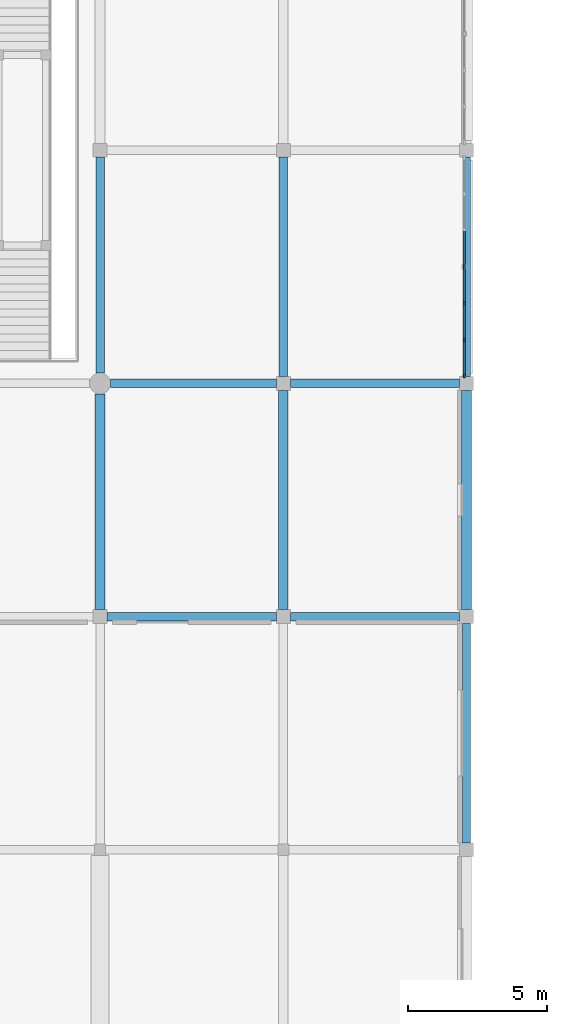
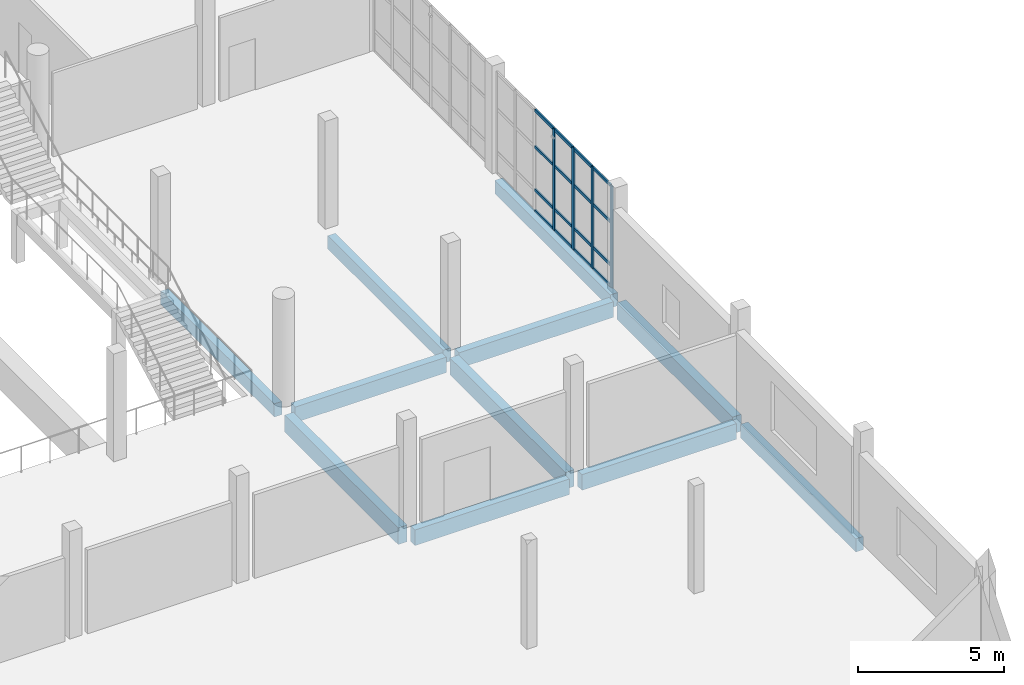
# One storey, part 4 of 76: 20 members, 11 beams, 1 element without a shape of its own.
"""IFC4 building model written with IfcOpenShell, lengths in metres."""

from ifc_helpers import new_model, si_unit, direction, frame, origin, origin_2d, place, context, subcontext, project, spatial, rectangle, extrude, material, material_profile, profile_set, type_object, element, aggregate, save


model = new_model("IFC4")

# Units and contexts
model_context = context("Model", 3, precision=1e-05, world=origin(), true_north=direction((0.0, 1.0)))
body_context = subcontext(model_context, "Body", "Model", "MODEL_VIEW")
ifc_project = project(units=[si_unit("LENGTHUNIT", "METRE"), si_unit("AREAUNIT", "SQUARE_METRE"), si_unit("VOLUMEUNIT", "CUBIC_METRE"), si_unit("PLANEANGLEUNIT", "RADIAN"), si_unit("MASSUNIT", "GRAM", prefix="KILO")], contexts=[model_context])

# Site, building, storey
site_placement = place(None, origin())
site = spatial("IfcSite", under=ifc_project, at=site_placement, CompositionType="ELEMENT")
building_placement = place(site_placement, origin())
building = spatial("IfcBuilding", under=site, at=building_placement, Name="Qaldarim Faculty of Natural and Applied Sciences", CompositionType="ELEMENT")
storey_placement = place(building_placement, frame((0.0, 0.0, 9.89990234375)))
storey = spatial("IfcBuildingStorey", under=building, at=storey_placement, Name="L02", CompositionType="ELEMENT", Elevation=9.89990234375)

# Beams
ifc_material_1 = material(Name="Concrete C40/50", Category="concrete")
ifc_material_profile_1 = material_profile(ifc_material_1, rectangle(XDim=0.300048828125, YDim=0.550048828125, at=origin_2d()), Name="RC-B300x550")
ifc_profile_set_1 = profile_set([ifc_material_profile_1], Name="Concrete C40/50")
beam_type_1 = type_object("IfcBeamType", Name="FloorBeam-RC300x550", PredefinedType="BEAM", material=ifc_profile_set_1)
beam_1_placement = place(storey_placement, frame((33.0, 59.175048828125, -0.574951171875), z_axis=(0.0, 1.0, 0.0), x_axis=(-1.0, 0.0, 0.0)))
element("IfcBeam", 1, at=beam_1_placement, inside=storey, type_object=beam_type_1, Name="Beam RC-B300x550 L01 X06/Y08-Y09", PredefinedType="BEAM", context=body_context, shape_type="SweptSolid", body=[
    extrude(rectangle(XDim=0.300048828125, YDim=0.550048828125, at=origin_2d()), origin(), (0.0, 0.0, 1.0), 7.77490234375),
])
for number, where, z_axis, x_axis, name in (
    (2, (39.60009765625, 59.050048828125, -0.574951171875), (0.0, 1.0, 0.0), (-1.0, 0.0, 0.0), "Beam RC-B300x550 L01 X07/Y08-Y09"),
    (3, (46.199951171875, 42.25, -0.574951171875), (0.0, 1.0, 0.0), (-1.0, 0.0, 0.0), "Beam RC-B300x550 L01 X08/Y06-Y07"),
    (4, (46.199951171875, 59.050048828125, -0.574951171875), (0.0, 1.0, 0.0), (-1.0, 0.0, 0.0), "Beam RC-B300x550 L01 X08/Y08-Y09"),
):
    element("IfcBeam", number, at=place(storey_placement, frame(where, z_axis=z_axis, x_axis=x_axis)), inside=storey, type_object=beam_type_1, Name=name, PredefinedType="BEAM", context=body_context, shape_type="SweptSolid", body=[
        extrude(rectangle(XDim=0.300048828125, YDim=0.550048828125, at=origin_2d()), origin(), (0.0, 0.0, 1.0), 7.89990234375),
    ])

# Curtain wall, members
ifc_material_2 = material(Name="Anodised aluminium AW-6063", Category="aluminium")
curtain_wall_type = type_object("IfcCurtainWallType", Name="CurtainWallSystem-M1300", PredefinedType="USERDEFINED", material=ifc_material_2)
curtain_wall_placement = place(storey_placement, origin())
curtain_wall = element("IfcCurtainWall", 5, at=curtain_wall_placement, inside=storey, type_object=curtain_wall_type, Name="Curtain wall CW-L02-E-X07Y08", ObjectType="STICK CURTAIN WALL", PredefinedType="USERDEFINED")
ifc_material_profile_2 = material_profile(ifc_material_2, rectangle(XDim=0.06005859375, YDim=0.14990234375, at=origin_2d()), Name="ALU-M60x150")
ifc_profile_set_2 = profile_set([ifc_material_profile_2], Name="Anodised aluminium AW-6063")
member_type_1 = type_object("IfcMemberType", Name="Mullion-ALU60x150", PredefinedType="MULLION", material=ifc_profile_set_2)
member_1_placement = place(storey_placement, frame((46.1201171875, 59.074951171875, 0.0), z_axis=(0.0, 0.0, 1.0), x_axis=(-1.0, 0.0, 0.0)))
member_1 = element("IfcMember", 6, at=member_1_placement, type_object=member_type_1, Name="Mullion 1 of CW-L02-E-X07Y08", PredefinedType="MULLION", context=body_context, shape_type="SweptSolid", body=[
    extrude(rectangle(XDim=0.06005859375, YDim=0.14990234375, at=origin_2d()), origin(), (0.0, 0.0, 1.0), 4.239990234375),
])
member_2_placement = place(storey_placement, frame((46.1201171875, 60.36328125, 0.0), z_axis=(0.0, 0.0, 1.0), x_axis=(-1.0, 0.0, 0.0)))
member_2 = element("IfcMember", 7, at=member_2_placement, type_object=member_type_1, Name="Mullion 2 of CW-L02-E-X07Y08", PredefinedType="MULLION", context=body_context, shape_type="SweptSolid", body=[
    extrude(rectangle(XDim=0.06005859375, YDim=0.14990234375, at=origin_2d()), origin(), (0.0, 0.0, 1.0), 4.239990234375),
])
member_3_placement = place(storey_placement, frame((46.1201171875, 61.681640625, 0.0), z_axis=(0.0, 0.0, 1.0), x_axis=(-1.0, 0.0, 0.0)))
member_3 = element("IfcMember", 8, at=member_3_placement, type_object=member_type_1, Name="Mullion 3 of CW-L02-E-X07Y08", PredefinedType="MULLION", context=body_context, shape_type="SweptSolid", body=[
    extrude(rectangle(XDim=0.06005859375, YDim=0.14990234375, at=origin_2d()), origin(), (0.0, 0.0, 1.0), 4.239990234375),
])
member_4_placement = place(storey_placement, frame((46.1201171875, 63.0, 0.0), z_axis=(0.0, 0.0, 1.0), x_axis=(-1.0, 0.0, 0.0)))
member_4 = element("IfcMember", 9, at=member_4_placement, type_object=member_type_1, Name="Mullion 4 of CW-L02-E-X07Y08", PredefinedType="MULLION", context=body_context, shape_type="SweptSolid", body=[
    extrude(rectangle(XDim=0.06005859375, YDim=0.14990234375, at=origin_2d()), origin(), (0.0, 0.0, 1.0), 4.239990234375),
])

# Beams
ifc_material_profile_3 = material_profile(ifc_material_1, rectangle(XDim=0.300048828125, YDim=0.64990234375, at=origin_2d()), Name="RC-B300x650")
ifc_profile_set_3 = profile_set([ifc_material_profile_3], Name="Concrete C40/50")
beam_type_2 = type_object("IfcBeamType", Name="PrimaryBeam-RC300x650", PredefinedType="BEAM", material=ifc_profile_set_3)
beam_2_placement = place(storey_placement, frame((33.25, 50.39990234375, -0.625), z_axis=(1.0, 0.0, 0.0), x_axis=(0.0, 1.0, 0.0)))
element("IfcBeam", 10, at=beam_2_placement, inside=storey, type_object=beam_type_2, Name="Beam RC-B300x650 L01 X06-X07/Y07", PredefinedType="BEAM", context=body_context, shape_type="SweptSolid", body=[
    extrude(rectangle(XDim=0.300048828125, YDim=0.64990234375, at=origin_2d()), origin(), (0.0, 0.0, 1.0), 6.10009765625),
])
beam_3_placement = place(storey_placement, frame((39.85009765625, 50.39990234375, -0.625), z_axis=(1.0, 0.0, 0.0), x_axis=(0.0, 1.0, 0.0)))
element("IfcBeam", 11, at=beam_3_placement, inside=storey, type_object=beam_type_2, Name="Beam RC-B300x650 L01 X07-X08/Y07", PredefinedType="BEAM", context=body_context, shape_type="SweptSolid", body=[
    extrude(rectangle(XDim=0.300048828125, YDim=0.64990234375, at=origin_2d()), origin(), (0.0, 0.0, 1.0), 6.099853515625),
])
beam_4_placement = place(storey_placement, frame((33.375, 58.800048828125, -0.625), z_axis=(1.0, 0.0, 0.0), x_axis=(0.0, 1.0, 0.0)))
element("IfcBeam", 12, at=beam_4_placement, inside=storey, type_object=beam_type_2, Name="Beam RC-B300x650 L01 X06-X07/Y08", PredefinedType="BEAM", context=body_context, shape_type="SweptSolid", body=[
    extrude(rectangle(XDim=0.300048828125, YDim=0.64990234375, at=origin_2d()), origin(), (0.0, 0.0, 1.0), 5.97509765625),
])
beam_5_placement = place(storey_placement, frame((39.85009765625, 58.800048828125, -0.625), z_axis=(1.0, 0.0, 0.0), x_axis=(0.0, 1.0, 0.0)))
element("IfcBeam", 13, at=beam_5_placement, inside=storey, type_object=beam_type_2, Name="Beam RC-B300x650 L01 X07-X08/Y08", PredefinedType="BEAM", context=body_context, shape_type="SweptSolid", body=[
    extrude(rectangle(XDim=0.300048828125, YDim=0.64990234375, at=origin_2d()), origin(), (0.0, 0.0, 1.0), 6.099853515625),
])
ifc_material_profile_4 = material_profile(ifc_material_1, rectangle(XDim=0.35009765625, YDim=0.699951171875, at=origin_2d()), Name="RC-B350x700")
ifc_profile_set_4 = profile_set([ifc_material_profile_4], Name="Concrete C40/50")
beam_type_3 = type_object("IfcBeamType", Name="PrimaryGirder-RC350x700", PredefinedType="BEAM", material=ifc_profile_set_4)
beam_6_placement = place(storey_placement, frame((33.0, 50.64990234375, -0.64990234375), z_axis=(0.0, 1.0, 0.0), x_axis=(-1.0, 0.0, 0.0)))
element("IfcBeam", 14, at=beam_6_placement, inside=storey, type_object=beam_type_3, Name="Beam RC-B350x700 L01 X06/Y07-Y08", PredefinedType="BEAM", context=body_context, shape_type="SweptSolid", body=[
    extrude(rectangle(XDim=0.35009765625, YDim=0.699951171875, at=origin_2d()), origin(), (0.0, 0.0, 1.0), 7.775146484375),
])
for number, where, z_axis, x_axis, name in (
    (15, (39.60009765625, 50.64990234375, -0.64990234375), (0.0, 1.0, 0.0), (-1.0, 0.0, 0.0), "Beam RC-B350x700 L01 X07/Y07-Y08"),
    (16, (46.199951171875, 50.64990234375, -0.64990234375), (0.0, 1.0, 0.0), (-1.0, 0.0, 0.0), "Beam RC-B350x700 L01 X08/Y07-Y08"),
):
    element("IfcBeam", number, at=place(storey_placement, frame(where, z_axis=z_axis, x_axis=x_axis)), inside=storey, type_object=beam_type_3, Name=name, PredefinedType="BEAM", context=body_context, shape_type="SweptSolid", body=[
        extrude(rectangle(XDim=0.35009765625, YDim=0.699951171875, at=origin_2d()), origin(), (0.0, 0.0, 1.0), 7.900146484375),
    ])

# Member
ifc_material_profile_5 = material_profile(ifc_material_2, rectangle(XDim=0.06005859375, YDim=0.1201171875, at=origin_2d()), Name="ALU-T60x120")
ifc_profile_set_5 = profile_set([ifc_material_profile_5], Name="Anodised aluminium AW-6063")
member_type_2 = type_object("IfcMemberType", Name="Transom-ALU60x120", PredefinedType="USERDEFINED", material=ifc_profile_set_5)
member_5_placement = place(storey_placement, frame((46.1201171875, 59.10498046875, 0.030029296875), z_axis=(0.0, 1.0, 0.0), x_axis=(-1.0, 0.0, 0.0)))
member_5 = element("IfcMember", 17, at=member_5_placement, type_object=member_type_2, Name="Transom 1-1 of CW-L02-E-X07Y08", ObjectType="TRANSOM", PredefinedType="USERDEFINED", context=body_context, shape_type="SweptSolid", body=[
    extrude(rectangle(XDim=0.06005859375, YDim=0.1201171875, at=origin_2d()), origin(), (0.0, 0.0, 1.0), 1.228271484375),
])

member_6_placement = place(storey_placement, frame((46.1201171875, 59.10498046875, 0.900146484375), z_axis=(0.0, 1.0, 0.0), x_axis=(-1.0, 0.0, 0.0)))
member_6 = element("IfcMember", 18, at=member_6_placement, type_object=member_type_2, Name="Transom 1-2 of CW-L02-E-X07Y08", ObjectType="TRANSOM", PredefinedType="USERDEFINED", context=body_context, shape_type="SweptSolid", body=[
    extrude(rectangle(XDim=0.06005859375, YDim=0.1201171875, at=origin_2d()), origin(), (0.0, 0.0, 1.0), 1.228271484375),
])

member_7_placement = place(storey_placement, frame((46.1201171875, 59.10498046875, 2.7001953125), z_axis=(0.0, 1.0, 0.0), x_axis=(-1.0, 0.0, 0.0)))
member_7 = element("IfcMember", 19, at=member_7_placement, type_object=member_type_2, Name="Transom 1-3 of CW-L02-E-X07Y08", ObjectType="TRANSOM", PredefinedType="USERDEFINED", context=body_context, shape_type="SweptSolid", body=[
    extrude(rectangle(XDim=0.06005859375, YDim=0.1201171875, at=origin_2d()), origin(), (0.0, 0.0, 1.0), 1.228271484375),
])

member_8_placement = place(storey_placement, frame((46.1201171875, 59.10498046875, 4.210205078125), z_axis=(0.0, 1.0, 0.0), x_axis=(-1.0, 0.0, 0.0)))
member_8 = element("IfcMember", 20, at=member_8_placement, type_object=member_type_2, Name="Transom 1-4 of CW-L02-E-X07Y08", ObjectType="TRANSOM", PredefinedType="USERDEFINED", context=body_context, shape_type="SweptSolid", body=[
    extrude(rectangle(XDim=0.06005859375, YDim=0.1201171875, at=origin_2d()), origin(), (0.0, 0.0, 1.0), 1.228271484375),
])

member_9_placement = place(storey_placement, frame((46.1201171875, 60.393310546875, 0.030029296875), z_axis=(0.0, 1.0, 0.0), x_axis=(-1.0, 0.0, 0.0)))
member_9 = element("IfcMember", 21, at=member_9_placement, type_object=member_type_2, Name="Transom 2-1 of CW-L02-E-X07Y08", ObjectType="TRANSOM", PredefinedType="USERDEFINED", context=body_context, shape_type="SweptSolid", body=[
    extrude(rectangle(XDim=0.06005859375, YDim=0.1201171875, at=origin_2d()), origin(), (0.0, 0.0, 1.0), 1.25830078125),
])

member_10_placement = place(storey_placement, frame((46.1201171875, 60.393310546875, 0.900146484375), z_axis=(0.0, 1.0, 0.0), x_axis=(-1.0, 0.0, 0.0)))
member_10 = element("IfcMember", 22, at=member_10_placement, type_object=member_type_2, Name="Transom 2-2 of CW-L02-E-X07Y08", ObjectType="TRANSOM", PredefinedType="USERDEFINED", context=body_context, shape_type="SweptSolid", body=[
    extrude(rectangle(XDim=0.06005859375, YDim=0.1201171875, at=origin_2d()), origin(), (0.0, 0.0, 1.0), 1.25830078125),
])

member_11_placement = place(storey_placement, frame((46.1201171875, 60.393310546875, 2.7001953125), z_axis=(0.0, 1.0, 0.0), x_axis=(-1.0, 0.0, 0.0)))
member_11 = element("IfcMember", 23, at=member_11_placement, type_object=member_type_2, Name="Transom 2-3 of CW-L02-E-X07Y08", ObjectType="TRANSOM", PredefinedType="USERDEFINED", context=body_context, shape_type="SweptSolid", body=[
    extrude(rectangle(XDim=0.06005859375, YDim=0.1201171875, at=origin_2d()), origin(), (0.0, 0.0, 1.0), 1.25830078125),
])

member_12_placement = place(storey_placement, frame((46.1201171875, 60.393310546875, 4.210205078125), z_axis=(0.0, 1.0, 0.0), x_axis=(-1.0, 0.0, 0.0)))
member_12 = element("IfcMember", 24, at=member_12_placement, type_object=member_type_2, Name="Transom 2-4 of CW-L02-E-X07Y08", ObjectType="TRANSOM", PredefinedType="USERDEFINED", context=body_context, shape_type="SweptSolid", body=[
    extrude(rectangle(XDim=0.06005859375, YDim=0.1201171875, at=origin_2d()), origin(), (0.0, 0.0, 1.0), 1.25830078125),
])

member_13_placement = place(storey_placement, frame((46.1201171875, 61.711669921875, 0.030029296875), z_axis=(0.0, 1.0, 0.0), x_axis=(-1.0, 0.0, 0.0)))
member_13 = element("IfcMember", 25, at=member_13_placement, type_object=member_type_2, Name="Transom 3-1 of CW-L02-E-X07Y08", ObjectType="TRANSOM", PredefinedType="USERDEFINED", context=body_context, shape_type="SweptSolid", body=[
    extrude(rectangle(XDim=0.06005859375, YDim=0.1201171875, at=origin_2d()), origin(), (0.0, 0.0, 1.0), 1.25830078125),
])

member_14_placement = place(storey_placement, frame((46.1201171875, 61.711669921875, 0.900146484375), z_axis=(0.0, 1.0, 0.0), x_axis=(-1.0, 0.0, 0.0)))
member_14 = element("IfcMember", 26, at=member_14_placement, type_object=member_type_2, Name="Transom 3-2 of CW-L02-E-X07Y08", ObjectType="TRANSOM", PredefinedType="USERDEFINED", context=body_context, shape_type="SweptSolid", body=[
    extrude(rectangle(XDim=0.06005859375, YDim=0.1201171875, at=origin_2d()), origin(), (0.0, 0.0, 1.0), 1.25830078125),
])

member_15_placement = place(storey_placement, frame((46.1201171875, 61.711669921875, 2.7001953125), z_axis=(0.0, 1.0, 0.0), x_axis=(-1.0, 0.0, 0.0)))
member_15 = element("IfcMember", 27, at=member_15_placement, type_object=member_type_2, Name="Transom 3-3 of CW-L02-E-X07Y08", ObjectType="TRANSOM", PredefinedType="USERDEFINED", context=body_context, shape_type="SweptSolid", body=[
    extrude(rectangle(XDim=0.06005859375, YDim=0.1201171875, at=origin_2d()), origin(), (0.0, 0.0, 1.0), 1.25830078125),
])

member_16_placement = place(storey_placement, frame((46.1201171875, 61.711669921875, 4.210205078125), z_axis=(0.0, 1.0, 0.0), x_axis=(-1.0, 0.0, 0.0)))
member_16 = element("IfcMember", 28, at=member_16_placement, type_object=member_type_2, Name="Transom 3-4 of CW-L02-E-X07Y08", ObjectType="TRANSOM", PredefinedType="USERDEFINED", context=body_context, shape_type="SweptSolid", body=[
    extrude(rectangle(XDim=0.06005859375, YDim=0.1201171875, at=origin_2d()), origin(), (0.0, 0.0, 1.0), 1.25830078125),
])

member_17_placement = place(storey_placement, frame((46.1201171875, 63.030029296875, 0.030029296875), z_axis=(0.0, 1.0, 0.0), x_axis=(-1.0, 0.0, 0.0)))
member_17 = element("IfcMember", 29, at=member_17_placement, type_object=member_type_2, Name="Transom 4-1 of CW-L02-E-X07Y08", ObjectType="TRANSOM", PredefinedType="USERDEFINED", context=body_context, shape_type="SweptSolid", body=[
    extrude(rectangle(XDim=0.06005859375, YDim=0.1201171875, at=origin_2d()), origin(), (0.0, 0.0, 1.0), 1.25830078125),
])

member_18_placement = place(storey_placement, frame((46.1201171875, 63.030029296875, 0.900146484375), z_axis=(0.0, 1.0, 0.0), x_axis=(-1.0, 0.0, 0.0)))
member_18 = element("IfcMember", 30, at=member_18_placement, type_object=member_type_2, Name="Transom 4-2 of CW-L02-E-X07Y08", ObjectType="TRANSOM", PredefinedType="USERDEFINED", context=body_context, shape_type="SweptSolid", body=[
    extrude(rectangle(XDim=0.06005859375, YDim=0.1201171875, at=origin_2d()), origin(), (0.0, 0.0, 1.0), 1.25830078125),
])

member_19_placement = place(storey_placement, frame((46.1201171875, 63.030029296875, 2.7001953125), z_axis=(0.0, 1.0, 0.0), x_axis=(-1.0, 0.0, 0.0)))
member_19 = element("IfcMember", 31, at=member_19_placement, type_object=member_type_2, Name="Transom 4-3 of CW-L02-E-X07Y08", ObjectType="TRANSOM", PredefinedType="USERDEFINED", context=body_context, shape_type="SweptSolid", body=[
    extrude(rectangle(XDim=0.06005859375, YDim=0.1201171875, at=origin_2d()), origin(), (0.0, 0.0, 1.0), 1.25830078125),
])

member_20_placement = place(storey_placement, frame((46.1201171875, 63.030029296875, 4.210205078125), z_axis=(0.0, 1.0, 0.0), x_axis=(-1.0, 0.0, 0.0)))
member_20 = element("IfcMember", 32, at=member_20_placement, type_object=member_type_2, Name="Transom 4-4 of CW-L02-E-X07Y08", ObjectType="TRANSOM", PredefinedType="USERDEFINED", context=body_context, shape_type="SweptSolid", body=[
    extrude(rectangle(XDim=0.06005859375, YDim=0.1201171875, at=origin_2d()), origin(), (0.0, 0.0, 1.0), 1.25830078125),
])

aggregate(curtain_wall, [member_1, member_2, member_3, member_4, member_5, member_6, member_7, member_8, member_9, member_10, member_11, member_12, member_13, member_14, member_15, member_16, member_17, member_18, member_19, member_20])

save(model, "model.ifc")
